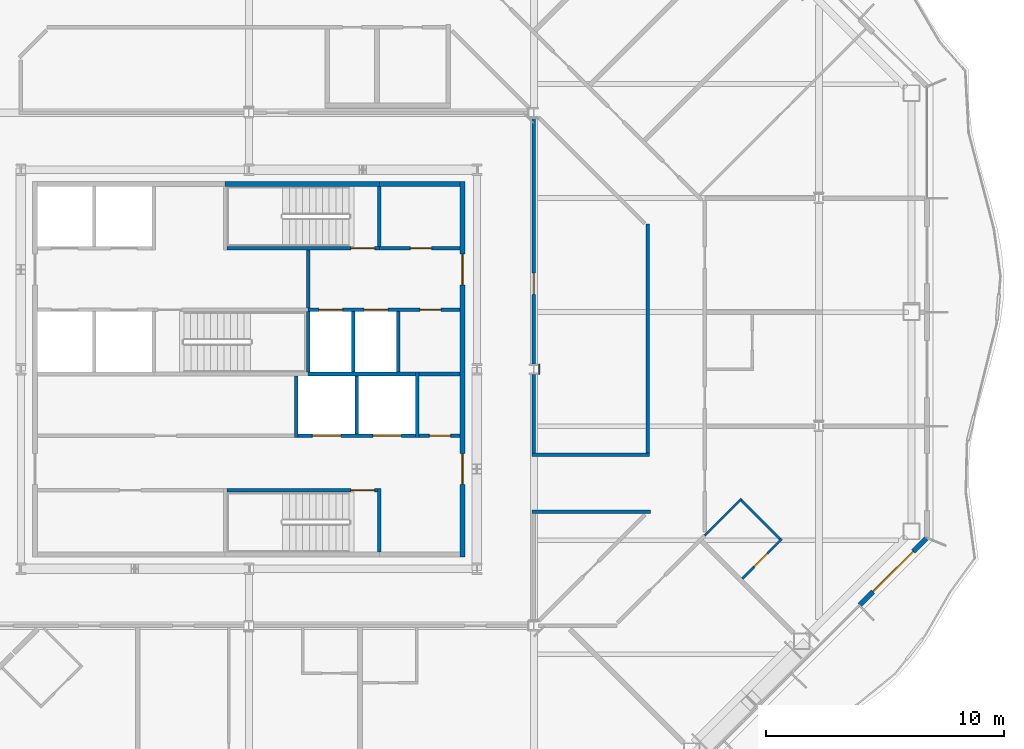
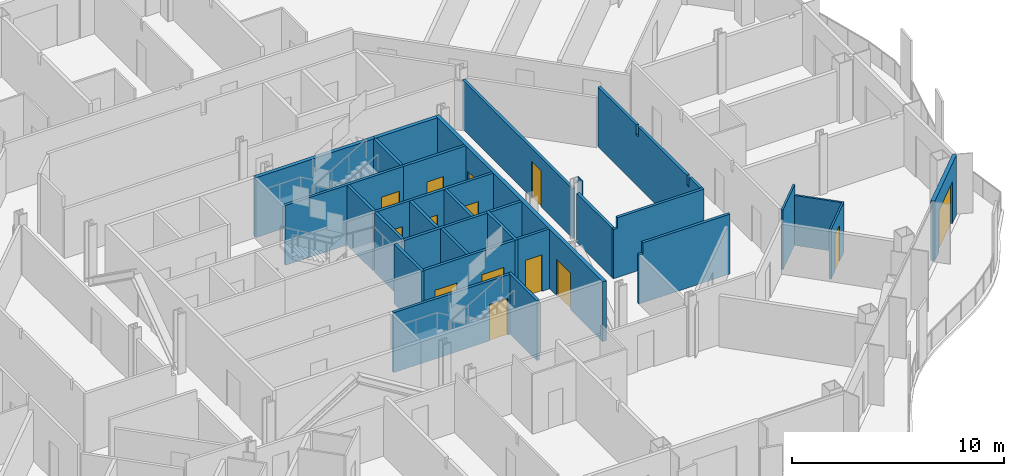
# One storey, part 10 of 22: 30 walls, 14 doors, 14 openings.
"""IFC4 building model written with IfcOpenShell, lengths in metres."""

from ifc_helpers import new_model, si_unit, direction, frame, frame_2d, origin, place, context, subcontext, project, spatial, polyline, rectangle, outline, extrude, material, layer, layer_set, type_object, element, fill, save


model = new_model("IFC4")

# Units and contexts
model_context = context("Model", 3, precision=1e-05, world=origin(), true_north=direction((0.0, 1.0)))
body_context = subcontext(model_context, "Body", "Model", "MODEL_VIEW")
ifc_project = project(units=[si_unit("LENGTHUNIT", "METRE"), si_unit("AREAUNIT", "SQUARE_METRE"), si_unit("VOLUMEUNIT", "CUBIC_METRE"), si_unit("PLANEANGLEUNIT", "RADIAN"), si_unit("MASSUNIT", "GRAM", prefix="KILO")], contexts=[model_context])

# Site, building, storey
site_placement = place(None, origin())
site = spatial("IfcSite", under=ifc_project, at=site_placement, CompositionType="ELEMENT")
building_placement = place(site_placement, origin())
building = spatial("IfcBuilding", under=site, at=building_placement, Name="Cairn Pilgrim Tower", CompositionType="ELEMENT")
storey_placement = place(building_placement, frame((0.0, 0.0, 147.0)))
storey = spatial("IfcBuildingStorey", under=building, at=storey_placement, Name="L36", CompositionType="ELEMENT", Elevation=147.0)

# Wall, opening, door
ifc_material_1 = material(Name="Bronze anodised aluminium insulated sandwich panel with mineral wool fill", Category="aluminium")
ifc_layer_1 = layer(ifc_material_1, 0.199951171875)
ifc_layer_set_1 = layer_set([ifc_layer_1], Name="BRONZE INFILL FRAME WALL 200")
wall_type_1 = type_object("IfcWallType", Name="BRONZE INFILL FRAME WALL 200", PredefinedType="NOTDEFINED", material=ifc_layer_set_1)
wall_1_placement = place(storey_placement, frame((32.92041015625, -7.52587890625, 0.0), z_axis=(0.0, 0.0, 1.0), x_axis=(0.707106781187, 0.707106781187, 0.0)))
wall_1 = element("IfcWall", 1, at=wall_1_placement, inside=storey, type_object=wall_type_1, Name="Bronze infill frame wall IW-SE5", PredefinedType="NOTDEFINED", context=body_context, shape_type="SweptSolid", body=[
    extrude(rectangle(XDim=3.961669921875, YDim=0.199951171875, at=frame_2d((1.98095703125, 0.0))), origin(), (0.0, 0.0, 1.0), 3.449951171875),
])
opening_1_placement = place(wall_1_placement, frame((0.78564453125, 0.0, 0.0)))
opening_1 = element("IfcOpeningElement", 2, at=opening_1_placement, cuts=wall_1, Name="Opening 3603B2", PredefinedType="OPENING", context=body_context, shape_type="SweptSolid", body=[
    extrude(rectangle(XDim=2.39990234375, YDim=2.39990234375, at=frame_2d((1.199951171875, 1.199951171875))), frame((0.0, 0.10986328125, 0.0), z_axis=(0.0, -1.0, 0.0), x_axis=(1.0, 0.0, 0.0)), (0.0, 0.0, 1.0), 0.219970703125),
])
ifc_material_2 = material(Name="Bronze anodised aluminium frame with tinted low-E glass", Category="aluminium")
door_type_1 = type_object("IfcDoorType", Name="BALCONY SLIDING DOOR 2400x2400", OperationType="DOUBLE_DOOR_SLIDING", PredefinedType="DOOR", material=ifc_material_2)
door_1_placement = place(opening_1_placement, origin())
door_1 = element("IfcDoor", 3, at=door_1_placement, inside=storey, type_object=door_type_1, Name="Balcony sliding door 3603B2", OperationType="SINGLE_SWING_LEFT", OverallHeight=2.39990234375, OverallWidth=2.39990234375, PredefinedType="DOOR", context=body_context, shape_type="SweptSolid", body=[
    extrude(rectangle(XDim=2.39990234375, YDim=2.39990234375, at=frame_2d((1.199951171875, 1.199951171875))), frame((0.0, 0.02490234375, 0.0), z_axis=(0.0, -1.0, 0.0), x_axis=(1.0, 0.0, 0.0)), (0.0, 0.0, 1.0), 0.050048828125),
])
fill(opening_1, door_1)

# Wall
ifc_material_3 = material(Name="Concrete C32/40", Category="concrete")
ifc_layer_2 = layer(ifc_material_3, 0.199951171875)
ifc_layer_set_2 = layer_set([ifc_layer_2], Name="CORE OUTER WALL 200 EI 120")
wall_type_2 = type_object("IfcWallType", Name="CORE OUTER WALL 200 EI 120", PredefinedType="SOLIDWALL", material=ifc_layer_set_2)
wall_2_placement = place(storey_placement, frame((12.699951171875, 10.199951171875, 0.0), z_axis=(0.0, 0.0, 1.0), x_axis=(1.0, 0.0, 0.0)))
element("IfcWall", 4, at=wall_2_placement, inside=storey, type_object=wall_type_2, Name="CW:L36:H12-3", PredefinedType="SOLIDWALL", context=body_context, shape_type="SweptSolid", body=[
    extrude(rectangle(XDim=3.400146484375, YDim=0.199951171875, at=frame_2d((1.7001953125, 0.0))), origin(), (0.0, 0.0, 1.0), 3.449951171875),
])

# Wall, openings, doors
wall_3_placement = place(storey_placement, frame((16.199951171875, -5.5, 0.0), z_axis=(0.0, 0.0, 1.0), x_axis=(0.0, 1.0, 0.0)))
wall_3 = element("IfcWall", 5, at=wall_3_placement, inside=storey, type_object=wall_type_2, Name="CW:L36:V29", PredefinedType="SOLIDWALL", context=body_context, shape_type="SweptSolid", body=[
    extrude(rectangle(XDim=15.800048828125, YDim=0.199951171875, at=frame_2d((7.89990234375, 0.0))), origin(), (0.0, 0.0, 1.0), 3.449951171875),
])
opening_2_placement = place(wall_3_placement, frame((3.050048828125, 0.0, 0.0)))
opening_2 = element("IfcOpeningElement", 6, at=opening_2_placement, cuts=wall_3, Name="Opening CD-E1", PredefinedType="OPENING", context=body_context, shape_type="SweptSolid", body=[
    extrude(rectangle(XDim=1.300048828125, YDim=2.10009765625, at=frame_2d((0.64990234375, 1.050048828125))), frame((0.0, 0.10986328125, 0.0), z_axis=(0.0, -1.0, 0.0), x_axis=(1.0, 0.0, 0.0)), (0.0, 0.0, 1.0), 0.219970703125),
])
opening_3_placement = place(wall_3_placement, frame((11.449951171875, 0.0, 0.0)))
opening_3 = element("IfcOpeningElement", 7, at=opening_3_placement, cuts=wall_3, Name="Opening CD-E2", PredefinedType="OPENING", context=body_context, shape_type="SweptSolid", body=[
    extrude(rectangle(XDim=1.300048828125, YDim=2.10009765625, at=frame_2d((0.64990234375, 1.050048828125))), frame((0.0, 0.10986328125, 0.0), z_axis=(0.0, -1.0, 0.0), x_axis=(1.0, 0.0, 0.0)), (0.0, 0.0, 1.0), 0.219970703125),
])
ifc_material_4 = material(Name="Painted steel", Category="steel")
door_type_2 = type_object("IfcDoorType", Name="CORE LOBBY DOOR 1300x2100", OperationType="DOUBLE_DOOR_SINGLE_SWING", PredefinedType="DOOR", material=ifc_material_4)
door_2_placement = place(opening_2_placement, origin())
door_2 = element("IfcDoor", 8, at=door_2_placement, inside=storey, type_object=door_type_2, Name="CD-E1", OperationType="DOUBLE_DOOR_SINGLE_SWING", OverallHeight=2.10009765625, OverallWidth=1.300048828125, PredefinedType="DOOR", context=body_context, shape_type="SweptSolid", body=[
    extrude(rectangle(XDim=1.300048828125, YDim=2.10009765625, at=frame_2d((0.64990234375, 1.050048828125))), frame((0.0, 0.02490234375, 0.0), z_axis=(0.0, -1.0, 0.0), x_axis=(1.0, 0.0, 0.0)), (0.0, 0.0, 1.0), 0.050048828125),
])
fill(opening_2, door_2)
door_3_placement = place(opening_3_placement, origin())
door_3 = element("IfcDoor", 9, at=door_3_placement, inside=storey, type_object=door_type_2, Name="CD-E2", OperationType="DOUBLE_DOOR_SINGLE_SWING", OverallHeight=2.10009765625, OverallWidth=1.300048828125, PredefinedType="DOOR", context=body_context, shape_type="SweptSolid", body=[
    extrude(rectangle(XDim=1.300048828125, YDim=2.10009765625, at=frame_2d((0.64990234375, 1.050048828125))), frame((0.0, 0.02490234375, 0.0), z_axis=(0.0, -1.0, 0.0), x_axis=(1.0, 0.0, 0.0)), (0.0, 0.0, 1.0), 0.050048828125),
])
fill(opening_3, door_3)

# Wall, opening, door
ifc_layer_3 = layer(ifc_material_3, 0.14990234375)
ifc_layer_set_3 = layer_set([ifc_layer_3], Name="CORE PARTITION 150 EI 60")
wall_type_3 = type_object("IfcWallType", Name="CORE PARTITION 150 EI 60", PredefinedType="PARTITIONING", material=ifc_layer_set_3)
wall_4_placement = place(storey_placement, frame((14.375, -0.39990234375, 0.0), z_axis=(0.0, 0.0, 1.0), x_axis=(1.0, 0.0, 0.0)))
wall_4 = element("IfcWall", 10, at=wall_4_placement, inside=storey, type_object=wall_type_3, Name="CW:L36:H06", PredefinedType="PARTITIONING", context=body_context, shape_type="SweptSolid", body=[
    extrude(rectangle(XDim=1.72509765625, YDim=0.14990234375, at=frame_2d((0.862548828125, 0.0))), origin(), (0.0, 0.0, 1.0), 3.449951171875),
])
opening_4_placement = place(wall_4_placement, frame((0.425048828125, 0.0, 0.0)))
opening_4 = element("IfcOpeningElement", 11, at=opening_4_placement, cuts=wall_4, Name="Opening RD-R2E", PredefinedType="OPENING", context=body_context, shape_type="SweptSolid", body=[
    extrude(rectangle(XDim=0.89990234375, YDim=2.10009765625, at=frame_2d((0.449951171875, 1.050048828125))), frame((0.0, 0.0849609375, 0.0), z_axis=(0.0, -1.0, 0.0), x_axis=(1.0, 0.0, 0.0)), (0.0, 0.0, 1.0), 0.169921875),
])
door_type_3 = type_object("IfcDoorType", Name="SERVICE ROOM DOOR 900x2100", OperationType="SINGLE_SWING_LEFT", PredefinedType="DOOR", material=ifc_material_4)
door_4_placement = place(opening_4_placement, origin())
door_4 = element("IfcDoor", 12, at=door_4_placement, inside=storey, type_object=door_type_3, Name="RD-R2E", OperationType="SINGLE_SWING_RIGHT", OverallHeight=2.10009765625, OverallWidth=0.89990234375, PredefinedType="DOOR", context=body_context, shape_type="SweptSolid", body=[
    extrude(rectangle(XDim=0.89990234375, YDim=2.10009765625, at=frame_2d((0.449951171875, 1.050048828125))), frame((0.0, 0.02490234375, 0.0), z_axis=(0.0, -1.0, 0.0), x_axis=(1.0, 0.0, 0.0)), (0.0, 0.0, 1.0), 0.050048828125),
])
fill(opening_4, door_4)

# Wall
wall_5_placement = place(storey_placement, frame((14.375, 2.199951171875, 0.0), z_axis=(0.0, 0.0, 1.0), x_axis=(1.0, 0.0, 0.0)))
element("IfcWall", 13, at=wall_5_placement, inside=storey, type_object=wall_type_3, Name="CW:L36:H08", PredefinedType="PARTITIONING", context=body_context, shape_type="SweptSolid", body=[
    extrude(rectangle(XDim=1.72509765625, YDim=0.14990234375, at=frame_2d((0.862548828125, 0.0))), origin(), (0.0, 0.0, 1.0), 3.449951171875),
])

# Wall, openings, doors
ifc_layer_4 = layer(ifc_material_3, 0.14990234375)
ifc_layer_set_4 = layer_set([ifc_layer_4], Name="CORE SHAFT WALL 150 EI 120")
wall_type_4 = type_object("IfcWallType", Name="CORE SHAFT WALL 150 EI 120", PredefinedType="SOLIDWALL", material=ifc_layer_set_4)
wall_6_placement = place(storey_placement, frame((9.27490234375, -0.39990234375, 0.0), z_axis=(0.0, 0.0, 1.0), x_axis=(1.0, 0.0, 0.0)))
wall_6 = element("IfcWall", 14, at=wall_6_placement, inside=storey, type_object=wall_type_4, Name="CW:L36:H05", PredefinedType="SOLIDWALL", context=body_context, shape_type="SweptSolid", body=[
    extrude(rectangle(XDim=4.9501953125, YDim=0.14990234375, at=frame_2d((2.47509765625, 0.0))), origin(), (0.0, 0.0, 1.0), 3.449951171875),
])
opening_5_placement = place(wall_6_placement, frame((0.60009765625, 0.0, 0.0)))
opening_5 = element("IfcOpeningElement", 15, at=opening_5_placement, cuts=wall_6, Name="Opening LD-SV1", PredefinedType="OPENING", context=body_context, shape_type="SweptSolid", body=[
    extrude(rectangle(XDim=1.199951171875, YDim=2.10009765625, at=frame_2d((0.60009765625, 1.050048828125))), frame((0.0, 0.0849609375, 0.0), z_axis=(0.0, -1.0, 0.0), x_axis=(1.0, 0.0, 0.0)), (0.0, 0.0, 1.0), 0.169921875),
])
opening_6_placement = place(wall_6_placement, frame((3.14990234375, 0.0, 0.0)))
opening_6 = element("IfcOpeningElement", 16, at=opening_6_placement, cuts=wall_6, Name="Opening LD-SV2", PredefinedType="OPENING", context=body_context, shape_type="SweptSolid", body=[
    extrude(rectangle(XDim=1.199951171875, YDim=2.10009765625, at=frame_2d((0.60009765625, 1.050048828125))), frame((0.0, 0.0849609375, 0.0), z_axis=(0.0, -1.0, 0.0), x_axis=(1.0, 0.0, 0.0)), (0.0, 0.0, 1.0), 0.169921875),
])
ifc_material_5 = material(Name="Stainless steel", Category="steel")
door_type_4 = type_object("IfcDoorType", Name="LIFT LANDING DOOR 1200x2100", OperationType="DOUBLE_DOOR_SLIDING", PredefinedType="DOOR", material=ifc_material_5)
door_5_placement = place(opening_5_placement, origin())
door_5 = element("IfcDoor", 17, at=door_5_placement, inside=storey, type_object=door_type_4, Name="LANDING DOOR SV1", OperationType="DOUBLE_DOOR_SLIDING", OverallHeight=2.10009765625, OverallWidth=1.199951171875, PredefinedType="DOOR", context=body_context, shape_type="SweptSolid", body=[
    extrude(rectangle(XDim=1.199951171875, YDim=2.10009765625, at=frame_2d((0.60009765625, 1.050048828125))), frame((0.0, 0.02490234375, 0.0), z_axis=(0.0, -1.0, 0.0), x_axis=(1.0, 0.0, 0.0)), (0.0, 0.0, 1.0), 0.050048828125),
])
fill(opening_5, door_5)
door_6_placement = place(opening_6_placement, origin())
door_6 = element("IfcDoor", 18, at=door_6_placement, inside=storey, type_object=door_type_4, Name="LANDING DOOR SV2", OperationType="DOUBLE_DOOR_SLIDING", OverallHeight=2.10009765625, OverallWidth=1.199951171875, PredefinedType="DOOR", context=body_context, shape_type="SweptSolid", body=[
    extrude(rectangle(XDim=1.199951171875, YDim=2.10009765625, at=frame_2d((0.60009765625, 1.050048828125))), frame((0.0, 0.02490234375, 0.0), z_axis=(0.0, -1.0, 0.0), x_axis=(1.0, 0.0, 0.0)), (0.0, 0.0, 1.0), 0.050048828125),
])
fill(opening_6, door_6)

# Wall
wall_7_placement = place(storey_placement, frame((9.699951171875, 2.199951171875, 0.0), z_axis=(0.0, 0.0, 1.0), x_axis=(1.0, 0.0, 0.0)))
element("IfcWall", 19, at=wall_7_placement, inside=storey, type_object=wall_type_4, Name="CW:L36:H07-3", PredefinedType="SOLIDWALL", context=body_context, shape_type="SweptSolid", body=[
    extrude(rectangle(XDim=4.525146484375, YDim=0.14990234375, at=frame_2d((2.2626953125, 0.0))), origin(), (0.0, 0.0, 1.0), 3.449951171875),
])

# Wall, openings, doors
wall_8_placement = place(storey_placement, frame((9.699951171875, 4.89990234375, 0.0), z_axis=(0.0, 0.0, 1.0), x_axis=(1.0, 0.0, 0.0)))
wall_8 = element("IfcWall", 20, at=wall_8_placement, inside=storey, type_object=wall_type_4, Name="CW:L36:H09-3", PredefinedType="SOLIDWALL", context=body_context, shape_type="SweptSolid", body=[
    extrude(rectangle(XDim=6.400146484375, YDim=0.14990234375, at=frame_2d((3.2001953125, 0.0))), origin(), (0.0, 0.0, 1.0), 3.449951171875),
])
opening_7_placement = place(wall_8_placement, frame((0.449951171875, 0.0, 0.0)))
opening_7 = element("IfcOpeningElement", 21, at=opening_7_placement, cuts=wall_8, Name="Opening LD-FF1", PredefinedType="OPENING", context=body_context, shape_type="SweptSolid", body=[
    extrude(rectangle(XDim=1.0, YDim=2.10009765625, at=frame_2d((0.5, 1.050048828125))), frame((0.0, 0.0849609375, 0.0), z_axis=(0.0, -1.0, 0.0), x_axis=(1.0, 0.0, 0.0)), (0.0, 0.0, 1.0), 0.169921875),
])
opening_8_placement = place(wall_8_placement, frame((2.35009765625, 0.0, 0.0)))
opening_8 = element("IfcOpeningElement", 22, at=opening_8_placement, cuts=wall_8, Name="Opening LD-FF2", PredefinedType="OPENING", context=body_context, shape_type="SweptSolid", body=[
    extrude(rectangle(XDim=1.0, YDim=2.10009765625, at=frame_2d((0.5, 1.050048828125))), frame((0.0, 0.0849609375, 0.0), z_axis=(0.0, -1.0, 0.0), x_axis=(1.0, 0.0, 0.0)), (0.0, 0.0, 1.0), 0.169921875),
])
opening_9_placement = place(wall_8_placement, frame((4.699951171875, 0.0, 0.0)))
opening_9 = element("IfcOpeningElement", 23, at=opening_9_placement, cuts=wall_8, Name="Opening RD-R3E", PredefinedType="OPENING", context=body_context, shape_type="SweptSolid", body=[
    extrude(rectangle(XDim=0.89990234375, YDim=2.10009765625, at=frame_2d((0.449951171875, 1.050048828125))), frame((0.0, 0.0849609375, 0.0), z_axis=(0.0, -1.0, 0.0), x_axis=(1.0, 0.0, 0.0)), (0.0, 0.0, 1.0), 0.169921875),
])
door_type_5 = type_object("IfcDoorType", Name="LIFT LANDING DOOR FIRE 1000x2100", OperationType="DOUBLE_DOOR_SLIDING", PredefinedType="DOOR", material=ifc_material_5)
door_7_placement = place(opening_7_placement, origin())
door_7 = element("IfcDoor", 24, at=door_7_placement, inside=storey, type_object=door_type_5, Name="LANDING DOOR FF1", OperationType="DOUBLE_DOOR_SLIDING", OverallHeight=2.10009765625, OverallWidth=1.0, PredefinedType="DOOR", context=body_context, shape_type="SweptSolid", body=[
    extrude(rectangle(XDim=1.0, YDim=2.10009765625, at=frame_2d((0.5, 1.050048828125))), frame((0.0, 0.02490234375, 0.0), z_axis=(0.0, -1.0, 0.0), x_axis=(1.0, 0.0, 0.0)), (0.0, 0.0, 1.0), 0.050048828125),
])
fill(opening_7, door_7)
door_8_placement = place(opening_8_placement, origin())
door_8 = element("IfcDoor", 25, at=door_8_placement, inside=storey, type_object=door_type_5, Name="LANDING DOOR FF2", OperationType="DOUBLE_DOOR_SLIDING", OverallHeight=2.10009765625, OverallWidth=1.0, PredefinedType="DOOR", context=body_context, shape_type="SweptSolid", body=[
    extrude(rectangle(XDim=1.0, YDim=2.10009765625, at=frame_2d((0.5, 1.050048828125))), frame((0.0, 0.02490234375, 0.0), z_axis=(0.0, -1.0, 0.0), x_axis=(1.0, 0.0, 0.0)), (0.0, 0.0, 1.0), 0.050048828125),
])
fill(opening_8, door_8)
door_9_placement = place(opening_9_placement, origin())
door_9 = element("IfcDoor", 26, at=door_9_placement, inside=storey, type_object=door_type_3, Name="RD-R3E", OperationType="SINGLE_SWING_LEFT", OverallHeight=2.10009765625, OverallWidth=0.89990234375, PredefinedType="DOOR", context=body_context, shape_type="SweptSolid", body=[
    extrude(rectangle(XDim=0.89990234375, YDim=2.10009765625, at=frame_2d((0.449951171875, 1.050048828125))), frame((0.0, 0.02490234375, 0.0), z_axis=(0.0, -1.0, 0.0), x_axis=(1.0, 0.0, 0.0)), (0.0, 0.0, 1.0), 0.050048828125),
])
fill(opening_9, door_9)

# Wall, opening, door
wall_9_placement = place(storey_placement, frame((12.699951171875, 7.5, 0.0), z_axis=(0.0, 0.0, 1.0), x_axis=(1.0, 0.0, 0.0)))
wall_9 = element("IfcWall", 27, at=wall_9_placement, inside=storey, type_object=wall_type_4, Name="CW:L36:H11-2", PredefinedType="SOLIDWALL", context=body_context, shape_type="SweptSolid", body=[
    extrude(rectangle(XDim=3.400146484375, YDim=0.14990234375, at=frame_2d((1.7001953125, 0.0))), origin(), (0.0, 0.0, 1.0), 3.449951171875),
])
opening_10_placement = place(wall_9_placement, frame((1.300048828125, 0.0, 0.0)))
opening_10 = element("IfcOpeningElement", 28, at=opening_10_placement, cuts=wall_9, Name="Opening RD-R4E", PredefinedType="OPENING", context=body_context, shape_type="SweptSolid", body=[
    extrude(rectangle(XDim=0.89990234375, YDim=2.10009765625, at=frame_2d((0.449951171875, 1.050048828125))), frame((0.0, 0.0849609375, 0.0), z_axis=(0.0, -1.0, 0.0), x_axis=(1.0, 0.0, 0.0)), (0.0, 0.0, 1.0), 0.169921875),
])
door_10_placement = place(opening_10_placement, origin())
door_10 = element("IfcDoor", 29, at=door_10_placement, inside=storey, type_object=door_type_3, Name="RD-R4E", OperationType="SINGLE_SWING_RIGHT", OverallHeight=2.10009765625, OverallWidth=0.89990234375, PredefinedType="DOOR", context=body_context, shape_type="SweptSolid", body=[
    extrude(rectangle(XDim=0.89990234375, YDim=2.10009765625, at=frame_2d((0.449951171875, 1.050048828125))), frame((0.0, 0.02490234375, 0.0), z_axis=(0.0, -1.0, 0.0), x_axis=(1.0, 0.0, 0.0)), (0.0, 0.0, 1.0), 0.050048828125),
])
fill(opening_10, door_10)

# Walls
wall_10_placement = place(storey_placement, frame((9.199951171875, -0.47509765625, 0.0), z_axis=(0.0, 0.0, 1.0), x_axis=(0.0, 1.0, 0.0)))
element("IfcWall", 30, at=wall_10_placement, inside=storey, type_object=wall_type_4, Name="CW:L36:V20", PredefinedType="SOLIDWALL", context=body_context, shape_type="SweptSolid", body=[
    extrude(rectangle(XDim=2.60009765625, YDim=0.14990234375, at=frame_2d((1.300048828125, 0.0))), origin(), (0.0, 0.0, 1.0), 3.449951171875),
])
wall_11_placement = place(storey_placement, frame((9.699951171875, 4.97509765625, 0.0), z_axis=(0.0, 0.0, 1.0), x_axis=(0.0, 1.0, 0.0)))
element("IfcWall", 31, at=wall_11_placement, inside=storey, type_object=wall_type_4, Name="CW:L36:V22", PredefinedType="SOLIDWALL", context=body_context, shape_type="SweptSolid", body=[
    extrude(rectangle(XDim=2.449951171875, YDim=0.14990234375, at=frame_2d((1.22509765625, 0.0))), origin(), (0.0, 0.0, 1.0), 3.449951171875),
])
wall_12_placement = place(storey_placement, frame((11.60009765625, 2.27490234375, 0.0), z_axis=(0.0, 0.0, 1.0), x_axis=(0.0, 1.0, 0.0)))
element("IfcWall", 32, at=wall_12_placement, inside=storey, type_object=wall_type_4, Name="CW:L36:V23", PredefinedType="SOLIDWALL", context=body_context, shape_type="SweptSolid", body=[
    extrude(rectangle(XDim=2.550048828125, YDim=0.14990234375, at=frame_2d((1.27490234375, 0.0))), origin(), (0.0, 0.0, 1.0), 3.449951171875),
])
wall_13_placement = place(storey_placement, frame((11.75, -0.324951171875, 0.0), z_axis=(0.0, 0.0, 1.0), x_axis=(0.0, 1.0, 0.0)))
element("IfcWall", 33, at=wall_13_placement, inside=storey, type_object=wall_type_4, Name="CW:L36:V24", PredefinedType="SOLIDWALL", context=body_context, shape_type="SweptSolid", body=[
    extrude(rectangle(XDim=2.449951171875, YDim=0.14990234375, at=frame_2d((1.22509765625, 0.0))), origin(), (0.0, 0.0, 1.0), 3.449951171875),
])
wall_14_placement = place(storey_placement, frame((13.5, 2.27490234375, 0.0), z_axis=(0.0, 0.0, 1.0), x_axis=(0.0, 1.0, 0.0)))
element("IfcWall", 34, at=wall_14_placement, inside=storey, type_object=wall_type_4, Name="CW:L36:V27", PredefinedType="SOLIDWALL", context=body_context, shape_type="SweptSolid", body=[
    extrude(rectangle(XDim=2.550048828125, YDim=0.14990234375, at=frame_2d((1.27490234375, 0.0))), origin(), (0.0, 0.0, 1.0), 3.449951171875),
])
wall_15_placement = place(storey_placement, frame((14.300048828125, -0.47509765625, 0.0), z_axis=(0.0, 0.0, 1.0), x_axis=(0.0, 1.0, 0.0)))
element("IfcWall", 35, at=wall_15_placement, inside=storey, type_object=wall_type_4, Name="CW:L36:V28", PredefinedType="SOLIDWALL", context=body_context, shape_type="SweptSolid", body=[
    extrude(rectangle(XDim=2.75, YDim=0.14990234375, at=frame_2d((1.375, 0.0))), origin(), (0.0, 0.0, 1.0), 3.449951171875),
])

# Wall, opening, door
ifc_material_6 = material(Name="Gypsum partition")
ifc_layer_5 = layer(ifc_material_6, 0.10009765625)
ifc_layer_set_5 = layer_set([ifc_layer_5], Name="PARTITION 100 DRYWALL")
wall_type_5 = type_object("IfcWallType", Name="PARTITION 100 DRYWALL", PredefinedType="PARTITIONING", material=ifc_layer_set_5)
wall_16_placement = place(storey_placement, frame((27.976806640625, -6.411376953125, 0.0), z_axis=(0.0, 0.0, 1.0), x_axis=(0.707054828152, 0.707158730404, 0.0)))
wall_16 = element("IfcWall", 36, at=wall_16_placement, inside=storey, type_object=wall_type_5, Name="PARTITION W034", PredefinedType="PARTITIONING", context=body_context, shape_type="SweptSolid", body=[
    extrude(rectangle(XDim=2.349609375, YDim=0.10009765625, at=frame_2d((1.1748046875, 0.0))), origin(), (0.0, 0.0, 1.0), 2.8798828125),
])
opening_11_placement = place(wall_16_placement, frame((0.699951171875, 0.0, 0.0)))
opening_11 = element("IfcOpeningElement", 37, at=opening_11_placement, cuts=wall_16, Name="Opening 3603A", PredefinedType="OPENING", context=body_context, shape_type="SweptSolid", body=[
    extrude(rectangle(XDim=0.800048828125, YDim=2.10009765625, at=frame_2d((0.39990234375, 1.050048828125))), frame((0.0, 0.06005859375, 0.0), z_axis=(0.0, -1.0, 0.0), x_axis=(1.0, 0.0, 0.0)), (0.0, 0.0, 1.0), 0.1201171875),
])
ifc_material_7 = material(Name="Timber door leaf", Category="wood")
door_type_6 = type_object("IfcDoorType", Name="WC DOOR 800x2100", OperationType="NOTDEFINED", PredefinedType="DOOR", material=ifc_material_7)
door_11_placement = place(opening_11_placement, frame((0.800048828125, 0.0, 0.0), z_axis=(0.0, 0.0, 1.0), x_axis=(-1.0, 0.0, 0.0)))
door_11 = element("IfcDoor", 38, at=door_11_placement, inside=storey, type_object=door_type_6, Name="DOOR 3603A", OperationType="SINGLE_SWING_LEFT", OverallHeight=2.10009765625, OverallWidth=0.800048828125, PredefinedType="DOOR", context=body_context, shape_type="SweptSolid", body=[
    extrude(rectangle(XDim=0.800048828125, YDim=2.10009765625, at=frame_2d((0.39990234375, 1.050048828125))), frame((0.0, 0.02490234375, 0.0), z_axis=(0.0, -1.0, 0.0), x_axis=(1.0, 0.0, 0.0)), (0.0, 0.0, 1.0), 0.050048828125),
])
fill(opening_11, door_11)

# Walls
wall_17_placement = place(storey_placement, frame((29.567626953125, -4.74951171875, 0.0), z_axis=(0.0, 0.0, 1.0), x_axis=(-0.707106781187, 0.707106781187, 0.0)))
element("IfcWall", 39, at=wall_17_placement, inside=storey, type_object=wall_type_5, Name="PARTITION W036", PredefinedType="PARTITIONING", context=body_context, shape_type="SweptSolid", body=[
    extrude(rectangle(XDim=2.2998046875, YDim=0.10009765625, at=frame_2d((1.14990234375, 0.0))), origin(), (0.0, 0.0, 1.0), 2.8798828125),
])
wall_18_placement = place(storey_placement, frame((26.39990234375, -4.593994140625, 0.0), z_axis=(0.0, 0.0, 1.0), x_axis=(0.707106781187, 0.707106781187, 0.0)))
element("IfcWall", 40, at=wall_18_placement, inside=storey, type_object=wall_type_5, Name="PARTITION W037", PredefinedType="PARTITIONING", context=body_context, shape_type="SweptSolid", body=[
    extrude(rectangle(XDim=2.179931640625, YDim=0.10009765625, at=frame_2d((1.08984375, 0.0))), origin(), (0.0, 0.0, 1.0), 3.449951171875),
])
ifc_layer_6 = layer(ifc_material_6, 0.14990234375)
ifc_layer_set_6 = layer_set([ifc_layer_6], Name="PARTITION 150 DRYWALL EI 60")
wall_type_6 = type_object("IfcWallType", Name="PARTITION 150 DRYWALL EI 60", PredefinedType="PARTITIONING", material=ifc_layer_set_6)
wall_19_placement = place(storey_placement, frame((19.125, -3.60009765625, 0.0), z_axis=(0.0, 0.0, 1.0), x_axis=(1.0, 0.0, 0.0)))
element("IfcWall", 41, at=wall_19_placement, inside=storey, type_object=wall_type_6, Name="PARTITION W040", PredefinedType="PARTITIONING", context=body_context, shape_type="SweptSolid", body=[
    extrude(outline(polyline([(0.0, 0.0), (4.981201171875, 0.0), (4.981201171875, 3.449951171875), (0.22509765625, 3.449951171875), (0.222900390625, 2.830078125), (0.0, 2.830078125), (0.0, 0.0)])), frame((0.0, 0.074951171875, 0.0), z_axis=(0.0, -1.0, 0.0), x_axis=(1.0, 0.0, 0.0)), (0.0, 0.0, 1.0), 0.14990234375),
])
wall_20_placement = place(storey_placement, frame((19.125, -1.199951171875, 0.0), z_axis=(0.0, 0.0, 1.0), x_axis=(1.0, 0.0, 0.0)))
element("IfcWall", 42, at=wall_20_placement, inside=storey, type_object=wall_type_6, Name="PARTITION W042", PredefinedType="PARTITIONING", context=body_context, shape_type="SweptSolid", body=[
    extrude(outline(polyline([(0.0, 0.0), (4.949951171875, 0.0), (4.949951171875, 3.449951171875), (0.22509765625, 3.449951171875), (0.222900390625, 2.830078125), (0.0, 2.830078125), (0.0, 0.0)])), frame((0.0, 0.074951171875, 0.0), z_axis=(0.0, -1.0, 0.0), x_axis=(1.0, 0.0, 0.0)), (0.0, 0.0, 1.0), 0.14990234375),
])
wall_21_placement = place(storey_placement, frame((19.199951171875, -1.125, 0.0), z_axis=(0.0, 0.0, 1.0), x_axis=(0.0, 1.0, 0.0)))
element("IfcWall", 43, at=wall_21_placement, inside=storey, type_object=wall_type_6, Name="PARTITION W045", PredefinedType="PARTITIONING", context=body_context, shape_type="SweptSolid", body=[
    extrude(rectangle(XDim=3.3125, YDim=0.14990234375, at=frame_2d((1.65625, 0.0))), origin(), (0.0, 0.0, 1.0), 2.830078125),
])
wall_22_placement = place(storey_placement, frame((24.0, -1.125, 0.0), z_axis=(0.0, 0.0, 1.0), x_axis=(0.0, 1.0, 0.0)))
element("IfcWall", 44, at=wall_22_placement, inside=storey, type_object=wall_type_6, Name="PARTITION W046", PredefinedType="PARTITIONING", context=body_context, shape_type="SweptSolid", body=[
    extrude(outline(polyline([(0.0, 0.0), (9.631103515625, 0.0), (9.631103515625, 3.449951171875), (6.030029296875, 3.449951171875), (6.028076171875, 2.8798828125), (5.820068359375, 2.8798828125), (5.818115234375, 3.449951171875), (1.22998046875, 3.449951171875), (1.22802734375, 2.8798828125), (1.02001953125, 2.8798828125), (1.01806640625, 3.449951171875), (0.0, 3.449951171875), (0.0, 0.0)])), frame((0.0, 0.074951171875, 0.0), z_axis=(0.0, -1.0, 0.0), x_axis=(1.0, 0.0, 0.0)), (0.0, 0.0, 1.0), 0.14990234375),
])

# Wall, opening, door
wall_23_placement = place(storey_placement, frame((19.199951171875, 2.612548828125, 0.0), z_axis=(0.0, 0.0, 1.0), x_axis=(0.0, 1.0, 0.0)))
wall_23 = element("IfcWall", 45, at=wall_23_placement, inside=storey, type_object=wall_type_6, Name="PARTITION W056", PredefinedType="PARTITIONING", context=body_context, shape_type="SweptSolid", body=[
    extrude(rectangle(XDim=10.375, YDim=0.14990234375, at=frame_2d((5.1875, 0.0))), origin(), (0.0, 0.0, 1.0), 2.830078125),
])
opening_12_placement = place(wall_23_placement, frame((2.9375, 0.0, 0.0)))
opening_12 = element("IfcOpeningElement", 46, at=opening_12_placement, cuts=wall_23, Name="Opening 3626", PredefinedType="OPENING", context=body_context, shape_type="SweptSolid", body=[
    extrude(rectangle(XDim=0.89990234375, YDim=2.10009765625, at=frame_2d((0.449951171875, 1.050048828125))), frame((0.0, 0.0849609375, 0.0), z_axis=(0.0, -1.0, 0.0), x_axis=(1.0, 0.0, 0.0)), (0.0, 0.0, 1.0), 0.169921875),
])
door_type_7 = type_object("IfcDoorType", Name="SERVICE DOOR 900x2100 FD30S", OperationType="NOTDEFINED", PredefinedType="DOOR", material=ifc_material_7)
door_12_placement = place(opening_12_placement, frame((0.89990234375, 0.0, 0.0), z_axis=(0.0, 0.0, 1.0), x_axis=(-1.0, 0.0, 0.0)))
door_12 = element("IfcDoor", 47, at=door_12_placement, inside=storey, type_object=door_type_7, Name="DOOR 3626", OperationType="SINGLE_SWING_LEFT", OverallHeight=2.10009765625, OverallWidth=0.89990234375, PredefinedType="DOOR", context=body_context, shape_type="SweptSolid", body=[
    extrude(rectangle(XDim=0.89990234375, YDim=2.10009765625, at=frame_2d((0.449951171875, 1.050048828125))), frame((0.0, 0.02490234375, 0.0), z_axis=(0.0, -1.0, 0.0), x_axis=(1.0, 0.0, 0.0)), (0.0, 0.0, 1.0), 0.050048828125),
])
fill(opening_12, door_12)

# Wall
ifc_layer_7 = layer(ifc_material_6, 0.050048828125)
ifc_layer_set_7 = layer_set([ifc_layer_7], Name="PARTITION 50 DRYWALL EI 60")
wall_type_7 = type_object("IfcWallType", Name="PARTITION 50 DRYWALL EI 60", PredefinedType="PARTITIONING", material=ifc_layer_set_7)
wall_24_placement = place(storey_placement, frame((19.429443359375, 2.1875, 0.0), z_axis=(0.0, 0.0, 1.0), x_axis=(0.0, 1.0, 0.0)))
element("IfcWall", 48, at=wall_24_placement, inside=storey, type_object=wall_type_7, Name="COLUMN CASING WC19", PredefinedType="PARTITIONING", context=body_context, shape_type="SweptSolid", body=[
    extrude(rectangle(XDim=0.425048828125, YDim=0.050048828125, at=frame_2d((0.21240234375, 0.0))), origin(), (0.0, 0.0, 1.0), 3.449951171875),
])

# Wall, opening, door
ifc_material_8 = material(Name="Concrete C35/45", Category="concrete")
ifc_layer_8 = layer(ifc_material_8, 0.14990234375)
ifc_layer_set_8 = layer_set([ifc_layer_8], Name="STAIR SHAFT WALL 150 EI 120")
wall_type_8 = type_object("IfcWallType", Name="STAIR SHAFT WALL 150 EI 120", PredefinedType="SOLIDWALL", material=ifc_layer_set_8)
wall_25_placement = place(storey_placement, frame((6.27490234375, -2.699951171875, 0.0), z_axis=(0.0, 0.0, 1.0), x_axis=(1.0, 0.0, 0.0)))
wall_25 = element("IfcWall", 49, at=wall_25_placement, inside=storey, type_object=wall_type_8, Name="CW:L36:H03", PredefinedType="SOLIDWALL", context=body_context, shape_type="SweptSolid", body=[
    extrude(rectangle(XDim=6.35009765625, YDim=0.14990234375, at=frame_2d((3.175048828125, 0.0))), origin(), (0.0, 0.0, 1.0), 3.449951171875),
])
opening_13_placement = place(wall_25_placement, frame((5.22509765625, 0.0, 0.0)))
opening_13 = element("IfcOpeningElement", 50, at=opening_13_placement, cuts=wall_25, Name="Opening SD-A", PredefinedType="OPENING", context=body_context, shape_type="SweptSolid", body=[
    extrude(rectangle(XDim=1.0, YDim=2.10009765625, at=frame_2d((0.5, 1.050048828125))), frame((0.0, 0.0849609375, 0.0), z_axis=(0.0, -1.0, 0.0), x_axis=(1.0, 0.0, 0.0)), (0.0, 0.0, 1.0), 0.169921875),
])
door_type_8 = type_object("IfcDoorType", Name="STAIR DOOR FD60S 1000x2100", OperationType="SINGLE_SWING_LEFT", PredefinedType="DOOR", material=ifc_material_4)
door_13_placement = place(opening_13_placement, origin())
door_13 = element("IfcDoor", 51, at=door_13_placement, inside=storey, type_object=door_type_8, Name="SD-A", OperationType="SINGLE_SWING_LEFT", OverallHeight=2.10009765625, OverallWidth=1.0, PredefinedType="DOOR", context=body_context, shape_type="SweptSolid", body=[
    extrude(rectangle(XDim=1.0, YDim=2.10009765625, at=frame_2d((0.5, 1.050048828125))), frame((0.0, 0.02490234375, 0.0), z_axis=(0.0, -1.0, 0.0), x_axis=(1.0, 0.0, 0.0)), (0.0, 0.0, 1.0), 0.050048828125),
])
fill(opening_13, door_13)

wall_26_placement = place(storey_placement, frame((6.27490234375, 7.5, 0.0), z_axis=(0.0, 0.0, 1.0), x_axis=(1.0, 0.0, 0.0)))
wall_26 = element("IfcWall", 52, at=wall_26_placement, inside=storey, type_object=wall_type_8, Name="CW:L36:H11-1", PredefinedType="SOLIDWALL", context=body_context, shape_type="SweptSolid", body=[
    extrude(rectangle(XDim=6.425048828125, YDim=0.14990234375, at=frame_2d((3.21240234375, 0.0))), origin(), (0.0, 0.0, 1.0), 3.449951171875),
])
opening_14_placement = place(wall_26_placement, frame((5.22509765625, 0.0, 0.0)))
opening_14 = element("IfcOpeningElement", 53, at=opening_14_placement, cuts=wall_26, Name="Opening SD-C", PredefinedType="OPENING", context=body_context, shape_type="SweptSolid", body=[
    extrude(rectangle(XDim=1.0, YDim=2.10009765625, at=frame_2d((0.5, 1.050048828125))), frame((0.0, 0.0849609375, 0.0), z_axis=(0.0, -1.0, 0.0), x_axis=(1.0, 0.0, 0.0)), (0.0, 0.0, 1.0), 0.169921875),
])
door_14_placement = place(opening_14_placement, origin())
door_14 = element("IfcDoor", 54, at=door_14_placement, inside=storey, type_object=door_type_8, Name="SD-C", OperationType="SINGLE_SWING_LEFT", OverallHeight=2.10009765625, OverallWidth=1.0, PredefinedType="DOOR", context=body_context, shape_type="SweptSolid", body=[
    extrude(rectangle(XDim=1.0, YDim=2.10009765625, at=frame_2d((0.5, 1.050048828125))), frame((0.0, 0.02490234375, 0.0), z_axis=(0.0, -1.0, 0.0), x_axis=(1.0, 0.0, 0.0)), (0.0, 0.0, 1.0), 0.050048828125),
])
fill(opening_14, door_14)

# Walls
wall_27_placement = place(storey_placement, frame((9.699951171875, 2.27490234375, 0.0), z_axis=(0.0, 0.0, 1.0), x_axis=(0.0, 1.0, 0.0)))
element("IfcWall", 55, at=wall_27_placement, inside=storey, type_object=wall_type_8, Name="CW:L36:V21", PredefinedType="SOLIDWALL", context=body_context, shape_type="SweptSolid", body=[
    extrude(rectangle(XDim=2.550048828125, YDim=0.14990234375, at=frame_2d((1.27490234375, 0.0))), origin(), (0.0, 0.0, 1.0), 3.449951171875),
])
wall_28_placement = place(storey_placement, frame((12.699951171875, -5.300048828125, 0.0), z_axis=(0.0, 0.0, 1.0), x_axis=(0.0, 1.0, 0.0)))
element("IfcWall", 56, at=wall_28_placement, inside=storey, type_object=wall_type_8, Name="CW:L36:V25", PredefinedType="SOLIDWALL", context=body_context, shape_type="SweptSolid", body=[
    extrude(rectangle(XDim=2.675048828125, YDim=0.14990234375, at=frame_2d((1.33740234375, 0.0))), origin(), (0.0, 0.0, 1.0), 3.449951171875),
])
wall_29_placement = place(storey_placement, frame((12.699951171875, 7.574951171875, 0.0), z_axis=(0.0, 0.0, 1.0), x_axis=(0.0, 1.0, 0.0)))
element("IfcWall", 57, at=wall_29_placement, inside=storey, type_object=wall_type_8, Name="CW:L36:V26", PredefinedType="SOLIDWALL", context=body_context, shape_type="SweptSolid", body=[
    extrude(rectangle(XDim=2.525146484375, YDim=0.14990234375, at=frame_2d((1.2626953125, 0.0))), origin(), (0.0, 0.0, 1.0), 3.449951171875),
])
ifc_layer_9 = layer(ifc_material_8, 0.199951171875)
ifc_layer_set_9 = layer_set([ifc_layer_9], Name="STAIR SHAFT WALL 200 EI 120")
wall_type_9 = type_object("IfcWallType", Name="STAIR SHAFT WALL 200 EI 120", PredefinedType="SOLIDWALL", material=ifc_layer_set_9)
wall_30_placement = place(storey_placement, frame((6.199951171875, 10.199951171875, 0.0), z_axis=(0.0, 0.0, 1.0), x_axis=(1.0, 0.0, 0.0)))
element("IfcWall", 58, at=wall_30_placement, inside=storey, type_object=wall_type_9, Name="CW:L36:H12-2", PredefinedType="SOLIDWALL", context=body_context, shape_type="SweptSolid", body=[
    extrude(rectangle(XDim=6.5, YDim=0.199951171875, at=frame_2d((3.25, 0.0))), origin(), (0.0, 0.0, 1.0), 3.449951171875),
])

save(model, "model.ifc")
